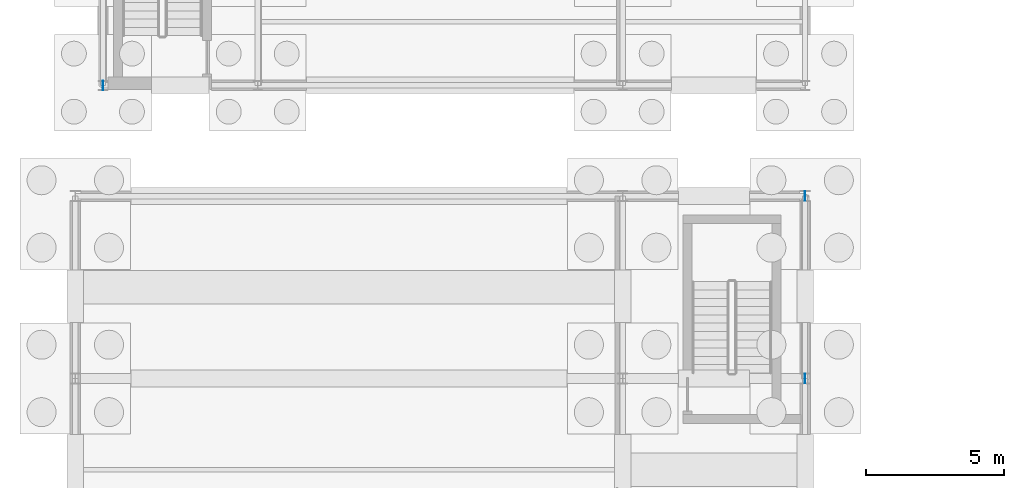
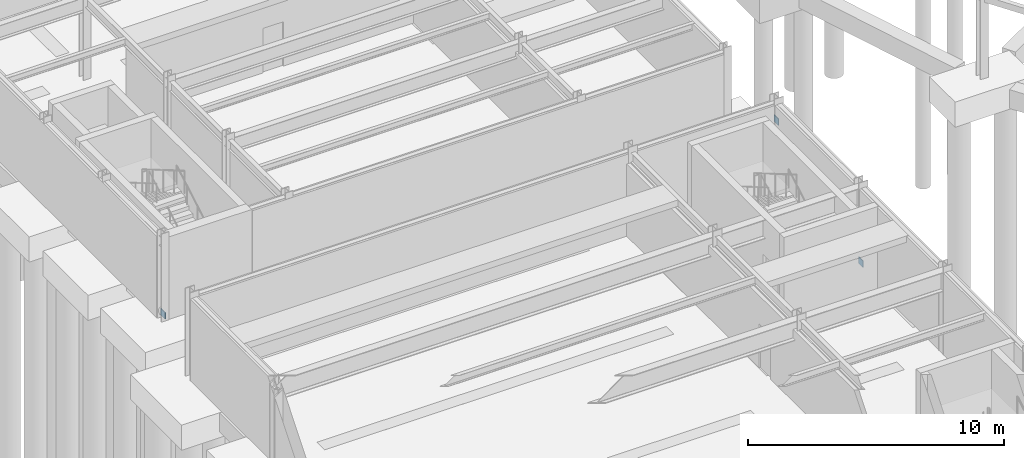
# One storey, part 31 of 58: 3 plates.
"""IFC4 building model written with IfcOpenShell, lengths in metres."""

from ifc_helpers import new_model, si_unit, direction, frame, origin, origin_2d, place, context, subcontext, project, spatial, rectangle, extrude, material, layer, layer_set, type_object, element, save


model = new_model("IFC4")

# Units and contexts
model_context = context("Model", 3, precision=1e-05, world=origin(), true_north=direction((0.0, 1.0)))
body_context = subcontext(model_context, "Body", "Model", "MODEL_VIEW")
ifc_project = project(units=[si_unit("LENGTHUNIT", "METRE"), si_unit("AREAUNIT", "SQUARE_METRE"), si_unit("VOLUMEUNIT", "CUBIC_METRE"), si_unit("PLANEANGLEUNIT", "RADIAN"), si_unit("MASSUNIT", "GRAM", prefix="KILO")], contexts=[model_context])

# Site, building, storey
site_placement = place(None, origin())
site = spatial("IfcSite", under=ifc_project, at=site_placement, CompositionType="ELEMENT")
building_placement = place(site_placement, origin())
building = spatial("IfcBuilding", under=site, at=building_placement, Name="Karori Crest Natural Sciences Institute", CompositionType="ELEMENT")
storey_placement = place(building_placement, frame((0.0, 0.0, -4.199951171875)))
storey = spatial("IfcBuildingStorey", under=building, at=storey_placement, Name="B1", CompositionType="ELEMENT", Elevation=-4.199951171875)

# Plates
ifc_material = material(Name="Structural steel AS/NZS 3679.1 Grade 350", Category="steel")
ifc_layer = layer(ifc_material, 0.02490234375, Name="Structural steel AS/NZS 3679.1 Grade 350")
ifc_layer_set = layer_set([ifc_layer], Name="Structural steel AS/NZS 3679.1 Grade 350")
plate_type = type_object("IfcPlateType", Name="PLT-06", PredefinedType="SHEET", material=ifc_layer_set)
for number, where, z_axis, x_axis, name in (
    (1, (27.199951171875, 20.60009765625, 0.093505859375), (0.0, 0.0, 1.0), (0.0, 1.0, 0.0), "Brace gusset plate EP-0211"),
    (2, (27.199951171875, 27.199951171875, 2.865478515625), (0.0, 0.0, 1.0), (0.0, 1.0, 0.0), "Brace gusset plate EP-0212"),
    (3, (1.800048828125, 31.199951171875, 0.093505859375), (0.0, 0.0, 1.0), (0.0, 1.0, 0.0), "Brace gusset plate EP-0237"),
):
    element("IfcPlate", number, at=place(storey_placement, frame(where, z_axis=z_axis, x_axis=x_axis)), inside=storey, type_object=plate_type, Name=name, PredefinedType="SHEET", context=body_context, shape_type="SweptSolid", body=[
        extrude(rectangle(XDim=0.35302734375, YDim=0.02490234375, at=origin_2d()), origin(), (0.0, 0.0, 1.0), 0.31298828125),
    ])

save(model, "model.ifc")
